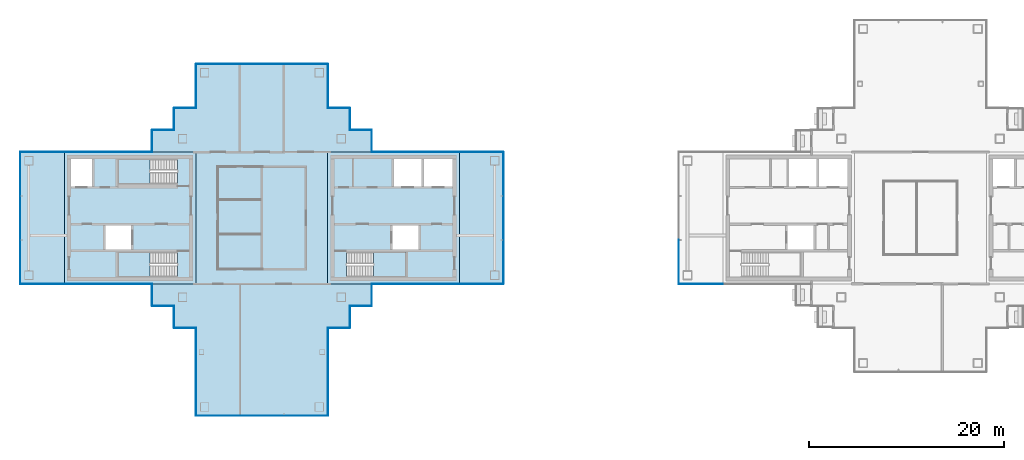
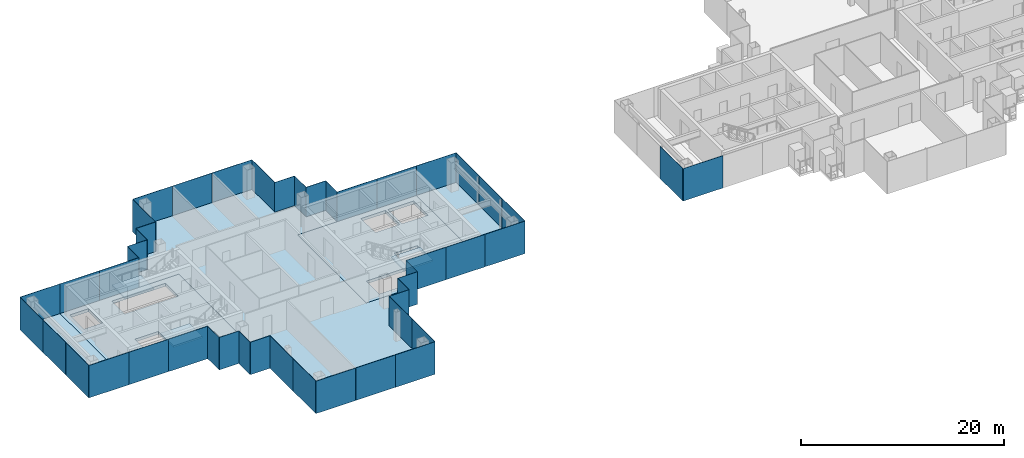
# One storey, part 7 of 16: 48 plates, 8 slabs, 25 elements without a shape of their own.
"""IFC4 building model written with IfcOpenShell, lengths in metres."""

import ifcopenshell
import ifcopenshell.guid

model = None  # the IFC model being written
_history = None  # IfcOwnerHistory: only IFC2X3 demands one
_inside = {}  # id of a spatial element -> (the spatial element, [elements in it])
_under = {}  # id of a project, library or spatial element -> (it, [spatial elements below it])
_declared = {}  # id of a project -> (the project, [libraries it declares])
_typed = {}  # id of a type object -> (the type object, [elements of that type])
_made_of = {}  # id of a material, layer set ... -> (it, [elements and type objects made of it])


def new_model(schema):
    """Start an empty IFC model of exactly this schema.

    Asked for "IFC4X3", IfcOpenShell would pick the latest addendum, in which some entities
    have other attributes; the version numbers below select the first issue.
    IFC2X3 requires an IfcOwnerHistory on every rooted entity: one is made here for all.
    """
    global model, _history
    if schema == "IFC4X3":
        model = ifcopenshell.file(schema_version=(4, 3, 0, 0))
    else:
        model = ifcopenshell.file(schema=schema)
    _inside.clear()
    _under.clear()
    _declared.clear()
    _typed.clear()
    _made_of.clear()
    _history = None
    if model.schema == "IFC2X3":
        org = make("IfcOrganization", Name="unknown")
        user = make(
            "IfcPersonAndOrganization",
            ThePerson=make("IfcPerson", FamilyName="unknown"),
            TheOrganization=org,
        )
        app = make(
            "IfcApplication",
            ApplicationDeveloper=org,
            Version="unknown",
            ApplicationFullName="unknown",
            ApplicationIdentifier="unknown",
        )
        _history = make(
            "IfcOwnerHistory",
            OwningUser=user,
            OwningApplication=app,
            ChangeAction="ADDED",
            CreationDate=0,
        )
    return model


def make(cls, **values):
    """One entity of the class cls with the attributes given. An attribute that is None is left unset."""
    return model.create_entity(
        cls, **{name: value for name, value in values.items() if value is not None}
    )


def rooted(cls, **values):
    """An entity with a GlobalId (a new one), such as an element, a storey or a relation."""
    return make(cls, GlobalId=ifcopenshell.guid.new(), OwnerHistory=_history, **values)


def si_unit(unit_type, name, prefix=None):
    """IfcSIUnit, for example si_unit("LENGTHUNIT", "METRE", prefix="MILLI")."""
    return make("IfcSIUnit", UnitType=unit_type, Prefix=prefix, Name=name)


def assignment(units):
    """IfcUnitAssignment: the units of a project."""
    return None if units is None else make("IfcUnitAssignment", Units=units)


def point(xyz):
    """IfcCartesianPoint."""
    return None if xyz is None else make("IfcCartesianPoint", Coordinates=xyz)


def direction(xyz):
    """IfcDirection."""
    return None if xyz is None else make("IfcDirection", DirectionRatios=xyz)


def frame(location, z_axis=None, x_axis=None):
    """IfcAxis2Placement3D, a coordinate frame: its origin and axes. An axis left out is left unset."""
    return make(
        "IfcAxis2Placement3D",
        Location=point(location),
        Axis=direction(z_axis),
        RefDirection=direction(x_axis),
    )


def frame_2d(location, x_axis=None):
    """IfcAxis2Placement2D, a coordinate frame in the plane: its origin and x axis."""
    return make(
        "IfcAxis2Placement2D", Location=point(location), RefDirection=direction(x_axis)
    )


def origin():
    """The frame at (0, 0, 0) with its axes left unset."""
    return frame((0.0, 0.0, 0.0))


def origin_2d():
    """The frame at (0, 0) in the plane with its x axis left unset."""
    return frame_2d((0.0, 0.0))


def place(relative_to, where):
    """IfcLocalPlacement: puts the frame where relative to a parent placement (None: the world)."""
    return make(
        "IfcLocalPlacement", PlacementRelTo=relative_to, RelativePlacement=where
    )


def context(
    kind, dimensions, precision=None, world=None, true_north=None, identifier=None
):
    """IfcGeometricRepresentationContext, for example the 3D "Model" context."""
    return make(
        "IfcGeometricRepresentationContext",
        ContextIdentifier=identifier,
        ContextType=kind,
        CoordinateSpaceDimension=dimensions,
        Precision=precision,
        WorldCoordinateSystem=world,
        TrueNorth=true_north,
    )


def subcontext(parent, identifier, kind, view, scale=None):
    """IfcGeometricRepresentationSubContext, for example "Body" below "Model"."""
    return make(
        "IfcGeometricRepresentationSubContext",
        ContextIdentifier=identifier,
        ContextType=kind,
        ParentContext=parent,
        TargetScale=scale,
        TargetView=view,
    )


def project(units=None, contexts=None):
    """IfcProject with its units and contexts."""
    return rooted(
        "IfcProject",
        Name="project",
        RepresentationContexts=contexts,
        UnitsInContext=assignment(units),
    )


def spatial(cls, under=None, at=None, **own):
    """A site, building, storey or space (cls), placed at a placement, below another one or the project."""
    s = rooted(cls, ObjectPlacement=at, **own)
    if under is not None:
        _under.setdefault(under.id(), (under, []))[1].append(s)
    return s


def polyline(points):
    """IfcPolyline through the points."""
    return make("IfcPolyline", Points=[point(p) for p in points])


def profile(cls, at=None, kind="AREA", **sizes):
    """A parametric profile (cls). Its sizes go by their IFC names, for example OverallWidth=200.0."""
    return make(cls, ProfileType=kind, Position=at, **sizes)


def rectangle(**sizes):
    """IfcRectangleProfileDef."""
    return profile("IfcRectangleProfileDef", **sizes)


def outline(outer, holes=None, kind="AREA"):
    """IfcArbitraryClosedProfileDef: a profile drawn as a closed curve; with holes, ...WithVoids."""
    if holes is None:
        return make("IfcArbitraryClosedProfileDef", ProfileType=kind, OuterCurve=outer)
    return make(
        "IfcArbitraryProfileDefWithVoids",
        ProfileType=kind,
        OuterCurve=outer,
        InnerCurves=holes,
    )


def extrude(swept, where, along, depth):
    """IfcExtrudedAreaSolid: the profile swept, set in the frame where, extruded along a direction by depth."""
    return make(
        "IfcExtrudedAreaSolid",
        SweptArea=swept,
        Position=where,
        ExtrudedDirection=direction(along),
        Depth=depth,
    )


def shape(context_of_items, identifier, shape_type, items):
    """IfcShapeRepresentation: the items that make up one representation, for example the "Body"."""
    return make(
        "IfcShapeRepresentation",
        ContextOfItems=context_of_items,
        RepresentationIdentifier=identifier,
        RepresentationType=shape_type,
        Items=items,
    )


def material(Name=None, Category=None):
    """IfcMaterial."""
    return make("IfcMaterial", Name=Name, Category=Category)


def layer(
    of_material, thickness, ventilated=None, Name=None, Category=None, Priority=None
):
    """IfcMaterialLayer: one layer of a wall or slab, of a material (None: an air gap)."""
    return make(
        "IfcMaterialLayer",
        Material=of_material,
        LayerThickness=thickness,
        IsVentilated=ventilated,
        Name=Name,
        Category=Category,
        Priority=Priority,
    )


def layer_set(layers, Name=None):
    """IfcMaterialLayerSet."""
    return make("IfcMaterialLayerSet", MaterialLayers=layers, LayerSetName=Name)


def made_of(thing, what):
    """Note that an element or type object is made of a material, layer set ...; save() writes the relation."""
    if what is not None:
        _made_of.setdefault(what.id(), (what, []))[1].append(thing)
    return thing


def type_object(cls, material=None, **own):
    """A type object (cls), such as IfcWallType, which elements share."""
    return made_of(rooted(cls, **own), material)


def element(
    cls,
    number,
    at=None,
    inside=None,
    cuts=None,
    type_object=None,
    material=None,
    context=None,
    identifier="Body",
    shape_type=None,
    held_by="IfcProductDefinitionShape",
    body=None,
    shapes=None,
    **own,
):
    """One element of the class cls, such as IfcWall. Its Tag is "e" and its number.

    at: its placement. inside: the storey or other place that contains it. cuts: it is an
    opening in that element (IfcRelVoidsElement). A single representation is given by context,
    identifier, shape_type and body (its items); several are given by shapes. held_by: the class
    of the entity that holds the representations. save() writes the other relations.
    """
    e = rooted(cls, Tag="e%d" % number, ObjectPlacement=at, **own)
    if body is not None:
        shapes = [shape(context, identifier, shape_type, body)]
    if shapes is not None:
        e.Representation = make(held_by, Representations=shapes)
    if inside is not None:
        _inside.setdefault(inside.id(), (inside, []))[1].append(e)
    if cuts is not None:
        rooted(
            "IfcRelVoidsElement", RelatingBuildingElement=cuts, RelatedOpeningElement=e
        )
    if type_object is not None:
        _typed.setdefault(type_object.id(), (type_object, []))[1].append(e)
    return made_of(e, material)


def aggregate(whole, parts):
    """IfcRelAggregates: a whole, such as a stair, and the parts it consists of."""
    return rooted("IfcRelAggregates", RelatingObject=whole, RelatedObjects=parts)


def save(model, path):
    """Write the relations noted so far, then the file.

    IfcRelAggregates (storeys below a building ...), IfcRelContainedInSpatialStructure (elements
    in a storey), IfcRelDefinesByType, IfcRelAssociatesMaterial and IfcRelDeclares: one each for
    every whole, place, type object, material and project.
    """
    for whole, parts in _under.values():
        aggregate(whole, parts)
    for where, things in _inside.values():
        rooted(
            "IfcRelContainedInSpatialStructure",
            RelatedElements=things,
            RelatingStructure=where,
        )
    for kind, things in _typed.values():
        rooted("IfcRelDefinesByType", RelatedObjects=things, RelatingType=kind)
    for what, things in _made_of.values():
        rooted("IfcRelAssociatesMaterial", RelatedObjects=things, RelatingMaterial=what)
    for by, libraries in _declared.values():
        rooted("IfcRelDeclares", RelatingContext=by, RelatedDefinitions=libraries)
    model.write(path)


model = new_model("IFC4")

# Units and contexts
model_context = context("Model", 3, precision=1e-05, world=origin(), true_north=direction((0.0, 1.0)))
body_context = subcontext(model_context, "Body", "Model", "MODEL_VIEW")
ifc_project = project(units=[si_unit("LENGTHUNIT", "METRE"), si_unit("AREAUNIT", "SQUARE_METRE"), si_unit("VOLUMEUNIT", "CUBIC_METRE"), si_unit("PLANEANGLEUNIT", "RADIAN"), si_unit("MASSUNIT", "GRAM", prefix="KILO")], contexts=[model_context])

# Site, building, storey
site_placement = place(None, origin())
site = spatial("IfcSite", under=ifc_project, at=site_placement, CompositionType="ELEMENT")
building_placement = place(site_placement, origin())
building = spatial("IfcBuilding", under=site, at=building_placement, Name="Shamsa Quay Exchange Towers", CompositionType="ELEMENT")
storey_placement = place(building_placement, frame((0.0, 0.0, 246.0)))
storey = spatial("IfcBuildingStorey", under=building, at=storey_placement, Name="L59", CompositionType="ELEMENT", Elevation=246.0)

# Slabs
ifc_material_1 = material(Name="Concrete C50/60", Category="concrete")
ifc_layer_1 = layer(ifc_material_1, 0.35009765625)
ifc_layer_set_1 = layer_set([ifc_layer_1], Name="CORE FLOOR 350 C50/60")
slab_type_1 = type_object("IfcSlabType", Name="CORE FLOOR 350 C50/60", PredefinedType="FLOOR", material=ifc_layer_set_1)
slab_1_placement = place(storey_placement, frame((0.0, 0.0, -0.35009765625)))
element("IfcSlab", 1, at=slab_1_placement, inside=storey, type_object=slab_type_1, Name="Core floor T1A", PredefinedType="FLOOR", context=body_context, shape_type="SweptSolid", body=[
    extrude(outline(polyline([(-27.0, -6.75), (-13.5, -6.75), (-13.5, 6.75), (-27.0, 6.75), (-27.0, -6.75)]), holes=[polyline([(-25.099365234375, -6.050048828125), (-25.099365234375, -3.5), (-19.0, -3.5), (-19.0, -6.050048828125), (-25.099365234375, -6.050048828125)]), polyline([(-20.199951171875, 3.25), (-20.199951171875, 6.050048828125), (-17.39990234375, 6.050048828125), (-17.39990234375, 3.25), (-20.199951171875, 3.25)]), polyline([(-17.14990234375, 3.25), (-17.14990234375, 6.050048828125), (-14.199951171875, 6.050048828125), (-14.199951171875, 3.25), (-17.14990234375, 3.25)]), polyline([(-20.35009765625, -3.25), (-20.35009765625, -0.75), (-17.699951171875, -0.75), (-17.699951171875, -3.25), (-20.35009765625, -3.25)])]), origin(), (0.0, 0.0, 1.0), 0.35009765625),
])
slab_2_placement = place(storey_placement, frame((0.0, 0.0, -0.35009765625)))
element("IfcSlab", 2, at=slab_2_placement, inside=storey, type_object=slab_type_1, Name="Core floor T1B", PredefinedType="FLOOR", context=body_context, shape_type="SweptSolid", body=[
    extrude(outline(polyline([(-40.5, -6.75), (-40.5, 6.75), (-54.0, 6.75), (-54.0, -6.75), (-40.5, -6.75)]), holes=[polyline([(-42.400634765625, -3.5), (-42.400634765625, -6.050048828125), (-48.5, -6.050048828125), (-48.5, -3.5), (-42.400634765625, -3.5)]), polyline([(-42.400634765625, 6.050048828125), (-42.400634765625, 3.5), (-48.5, 3.5), (-48.5, 6.050048828125), (-42.400634765625, 6.050048828125)]), polyline([(-51.14990234375, 3.25), (-53.300048828125, 3.25), (-53.300048828125, 6.050048828125), (-51.14990234375, 6.050048828125), (-51.14990234375, 3.25)]), polyline([(-47.14990234375, -3.25), (-49.800048828125, -3.25), (-49.800048828125, -0.75), (-47.14990234375, -0.75), (-47.14990234375, -3.25)])]), origin(), (0.0, 0.0, 1.0), 0.35009765625),
])

# Stair, slab
ifc_material_2 = material(Name="Concrete C40/50", Category="concrete")
stair_type = type_object("IfcStairType", Name="EXIT STAIR 22 RISERS 177 MM", PredefinedType="HALF_TURN_STAIR", material=ifc_material_2)
stair_1_placement = place(storey_placement, origin())
stair_1 = element("IfcStair", 3, at=stair_1_placement, inside=storey, type_object=stair_type, Name="L59 Exit stair ST1", PredefinedType="HALF_TURN_STAIR")
ifc_layer_2 = layer(ifc_material_2, 0.199951171875)
ifc_layer_set_2 = layer_set([ifc_layer_2], Name="CORE STAIR LANDING")
slab_type_2 = type_object("IfcSlabType", Name="CORE STAIR LANDING", PredefinedType="LANDING", material=ifc_layer_set_2)
slab_3_placement = place(storey_placement, frame((0.0, 0.0, 1.75)))
slab_3 = element("IfcSlab", 4, at=slab_3_placement, type_object=slab_type_2, Name="ST1 landing 1", PredefinedType="LANDING", context=body_context, shape_type="SweptSolid", body=[
    extrude(outline(polyline([(-22.300048828125, -6.050048828125), (-19.0, -6.050048828125), (-19.0, -3.5), (-22.300048828125, -3.5), (-22.300048828125, -6.050048828125)])), origin(), (0.0, 0.0, 1.0), 0.199951171875),
])
aggregate(stair_1, [slab_3])

stair_2_placement = place(storey_placement, origin())
stair_2 = element("IfcStair", 5, at=stair_2_placement, inside=storey, type_object=stair_type, Name="L59 Exit stair ST2", PredefinedType="HALF_TURN_STAIR")
slab_4_placement = place(storey_placement, frame((0.0, 0.0, 1.75)))
slab_4 = element("IfcSlab", 6, at=slab_4_placement, type_object=slab_type_2, Name="ST2 landing 1", PredefinedType="LANDING", context=body_context, shape_type="SweptSolid", body=[
    extrude(outline(polyline([(-45.199951171875, -3.5), (-48.5, -3.5), (-48.5, -6.050048828125), (-45.199951171875, -6.050048828125), (-45.199951171875, -3.5)])), origin(), (0.0, 0.0, 1.0), 0.199951171875),
])
aggregate(stair_2, [slab_4])

stair_3_placement = place(storey_placement, origin())
stair_3 = element("IfcStair", 7, at=stair_3_placement, inside=storey, type_object=stair_type, Name="L59 Exit stair ST3", PredefinedType="HALF_TURN_STAIR")
slab_5_placement = place(storey_placement, frame((0.0, 0.0, 1.75)))
slab_5 = element("IfcSlab", 8, at=slab_5_placement, type_object=slab_type_2, Name="ST3 landing 1", PredefinedType="LANDING", context=body_context, shape_type="SweptSolid", body=[
    extrude(outline(polyline([(-45.199951171875, 6.050048828125), (-48.5, 6.050048828125), (-48.5, 3.5), (-45.199951171875, 3.5), (-45.199951171875, 6.050048828125)])), origin(), (0.0, 0.0, 1.0), 0.199951171875),
])
aggregate(stair_3, [slab_5])

# Curtain wall, plates
ifc_material_3 = material(Name="Aluminium EN AW-6063 T6, black anodised", Category="aluminium")
ifc_layer_3 = layer(ifc_material_3, 0.280029296875)
ifc_layer_set_3 = layer_set([ifc_layer_3], Name="CW-1 UNITISED VISION GLASS")
curtain_wall_type_1 = type_object("IfcCurtainWallType", Name="CW-1 UNITISED VISION GLASS", PredefinedType="NOTDEFINED", material=ifc_layer_set_3)
curtain_wall_1_placement = place(storey_placement, origin())
curtain_wall_1 = element("IfcCurtainWall", 9, at=curtain_wall_1_placement, inside=storey, type_object=curtain_wall_type_1, Name="CW1 T1-FLK-V-W L59", PredefinedType="NOTDEFINED")
ifc_material_4 = material(Name="Glass, laminated, dark tinted", Category="glass")
ifc_layer_4 = layer(ifc_material_4, 0.0400390625)
ifc_layer_set_4 = layer_set([ifc_layer_4], Name="CW-1 VISION GLASS 40")
plate_type_1 = type_object("IfcPlateType", Name="CW-1 VISION GLASS 40", PredefinedType="CURTAIN_PANEL", material=ifc_layer_set_4)
plate_1_placement = place(storey_placement, frame((-40.52001953125, -13.52587890625, -0.349853515625), z_axis=(0.0, 0.0, 1.0), x_axis=(0.0, -1.0, 0.0)))
plate_1 = element("IfcPlate", 10, at=plate_1_placement, type_object=plate_type_1, Name="CW1 glass panel", PredefinedType="CURTAIN_PANEL", context=body_context, shape_type="SweptSolid", body=[
    extrude(rectangle(XDim=4.47607421875, YDim=0.0400390625, at=origin_2d()), origin(), (0.0, 0.0, 1.0), 3.89990234375),
])
plate_2_placement = place(storey_placement, frame((-40.52001953125, -18.011962890625, -0.349853515625), z_axis=(0.0, 0.0, 1.0), x_axis=(0.0, -1.0, 0.0)))
plate_2 = element("IfcPlate", 11, at=plate_2_placement, type_object=plate_type_1, Name="CW1 glass panel", PredefinedType="CURTAIN_PANEL", context=body_context, shape_type="SweptSolid", body=[
    extrude(rectangle(XDim=4.47607421875, YDim=0.0400390625, at=origin_2d()), origin(), (0.0, 0.0, 1.0), 3.89990234375),
])
aggregate(curtain_wall_1, [plate_1, plate_2])

curtain_wall_2_placement = place(storey_placement, origin())
curtain_wall_2 = element("IfcCurtainWall", 12, at=curtain_wall_2_placement, inside=storey, type_object=curtain_wall_type_1, Name="CW1 T1-END-V- L59", PredefinedType="NOTDEFINED")
plate_3_placement = place(storey_placement, frame((-38.25244140625, -20.27001953125, -0.349853515625)))
plate_3 = element("IfcPlate", 13, at=plate_3_placement, type_object=plate_type_1, Name="CW1 glass panel", PredefinedType="CURTAIN_PANEL", context=body_context, shape_type="SweptSolid", body=[
    extrude(rectangle(XDim=4.4951171875, YDim=0.0400390625, at=origin_2d()), origin(), (0.0, 0.0, 1.0), 3.89990234375),
])
plate_4_placement = place(storey_placement, frame((-33.75, -20.27001953125, -0.349853515625)))
plate_4 = element("IfcPlate", 14, at=plate_4_placement, type_object=plate_type_1, Name="CW1 glass panel", PredefinedType="CURTAIN_PANEL", context=body_context, shape_type="SweptSolid", body=[
    extrude(rectangle(XDim=4.489990234375, YDim=0.0400390625, at=origin_2d()), origin(), (0.0, 0.0, 1.0), 3.89990234375),
])
plate_5_placement = place(storey_placement, frame((-29.24755859375, -20.27001953125, -0.349853515625)))
plate_5 = element("IfcPlate", 15, at=plate_5_placement, type_object=plate_type_1, Name="CW1 glass panel", PredefinedType="CURTAIN_PANEL", context=body_context, shape_type="SweptSolid", body=[
    extrude(rectangle(XDim=4.4951171875, YDim=0.0400390625, at=origin_2d()), origin(), (0.0, 0.0, 1.0), 3.89990234375),
])
aggregate(curtain_wall_2, [plate_3, plate_4, plate_5])

curtain_wall_3_placement = place(storey_placement, origin())
curtain_wall_3 = element("IfcCurtainWall", 16, at=curtain_wall_3_placement, inside=storey, type_object=curtain_wall_type_1, Name="CW1 T1-FLK-V-E L59", PredefinedType="NOTDEFINED")
plate_6_placement = place(storey_placement, frame((-26.97998046875, -18.00244140625, -0.349853515625), z_axis=(0.0, 0.0, 1.0), x_axis=(0.0, 1.0, 0.0)))
plate_6 = element("IfcPlate", 17, at=plate_6_placement, type_object=plate_type_1, Name="CW1 glass panel", PredefinedType="CURTAIN_PANEL", context=body_context, shape_type="SweptSolid", body=[
    extrude(rectangle(XDim=4.4951171875, YDim=0.0400390625, at=origin_2d()), origin(), (0.0, 0.0, 1.0), 3.89990234375),
])
plate_7_placement = place(storey_placement, frame((-26.97998046875, -13.49755859375, -0.349853515625), z_axis=(0.0, 0.0, 1.0), x_axis=(0.0, 1.0, 0.0)))
plate_7 = element("IfcPlate", 18, at=plate_7_placement, type_object=plate_type_1, Name="CW1 glass panel", PredefinedType="CURTAIN_PANEL", context=body_context, shape_type="SweptSolid", body=[
    extrude(rectangle(XDim=4.4951171875, YDim=0.0400390625, at=origin_2d()), origin(), (0.0, 0.0, 1.0), 3.89990234375),
])
aggregate(curtain_wall_3, [plate_6, plate_7])

# Curtain wall, plate
curtain_wall_4_placement = place(storey_placement, origin())
curtain_wall_4 = element("IfcCurtainWall", 19, at=curtain_wall_4_placement, inside=storey, type_object=curtain_wall_type_1, Name="CW1 T1-FLK-U+S L59", PredefinedType="NOTDEFINED")
plate_8_placement = place(storey_placement, frame((-11.25, -6.77001953125, -0.349853515625)))
plate_8 = element("IfcPlate", 20, at=plate_8_placement, type_object=plate_type_1, Name="CW1 glass panel", PredefinedType="CURTAIN_PANEL", context=body_context, shape_type="SweptSolid", body=[
    extrude(rectangle(XDim=4.5, YDim=0.0400390625, at=origin_2d()), origin(), (0.0, 0.0, 1.0), 3.89990234375),
])
aggregate(curtain_wall_4, [plate_8])

# Curtain wall, plates
curtain_wall_5_placement = place(storey_placement, origin())
curtain_wall_5 = element("IfcCurtainWall", 21, at=curtain_wall_5_placement, inside=storey, type_object=curtain_wall_type_1, Name="CW1 T1-END-U+ L59", PredefinedType="NOTDEFINED")
plate_9_placement = place(storey_placement, frame((-8.97998046875, -4.50244140625, -0.349853515625), z_axis=(0.0, 0.0, 1.0), x_axis=(0.0, 1.0, 0.0)))
plate_9 = element("IfcPlate", 22, at=plate_9_placement, type_object=plate_type_1, Name="CW1 glass panel", PredefinedType="CURTAIN_PANEL", context=body_context, shape_type="SweptSolid", body=[
    extrude(rectangle(XDim=4.4951171875, YDim=0.0400390625, at=origin_2d()), origin(), (0.0, 0.0, 1.0), 3.89990234375),
])
plate_10_placement = place(storey_placement, frame((-8.97998046875, 0.0, -0.349853515625), z_axis=(0.0, 0.0, 1.0), x_axis=(0.0, 1.0, 0.0)))
plate_10 = element("IfcPlate", 23, at=plate_10_placement, type_object=plate_type_1, Name="CW1 glass panel", PredefinedType="CURTAIN_PANEL", context=body_context, shape_type="SweptSolid", body=[
    extrude(rectangle(XDim=4.489990234375, YDim=0.0400390625, at=origin_2d()), origin(), (0.0, 0.0, 1.0), 3.89990234375),
])
plate_11_placement = place(storey_placement, frame((-8.97998046875, 4.50244140625, -0.349853515625), z_axis=(0.0, 0.0, 1.0), x_axis=(0.0, 1.0, 0.0)))
plate_11 = element("IfcPlate", 24, at=plate_11_placement, type_object=plate_type_1, Name="CW1 glass panel", PredefinedType="CURTAIN_PANEL", context=body_context, shape_type="SweptSolid", body=[
    extrude(rectangle(XDim=4.4951171875, YDim=0.0400390625, at=origin_2d()), origin(), (0.0, 0.0, 1.0), 3.89990234375),
])
aggregate(curtain_wall_5, [plate_9, plate_10, plate_11])

# Curtain wall, plate
curtain_wall_6_placement = place(storey_placement, origin())
curtain_wall_6 = element("IfcCurtainWall", 25, at=curtain_wall_6_placement, inside=storey, type_object=curtain_wall_type_1, Name="CW1 T1-FLK-U+N L59", PredefinedType="NOTDEFINED")
plate_12_placement = place(storey_placement, frame((-11.25, 6.77001953125, -0.349853515625), z_axis=(0.0, 0.0, 1.0), x_axis=(-1.0, 0.0, 0.0)))
plate_12 = element("IfcPlate", 26, at=plate_12_placement, type_object=plate_type_1, Name="CW1 glass panel", PredefinedType="CURTAIN_PANEL", context=body_context, shape_type="SweptSolid", body=[
    extrude(rectangle(XDim=4.5, YDim=0.0400390625, at=origin_2d()), origin(), (0.0, 0.0, 1.0), 3.89990234375),
])
aggregate(curtain_wall_6, [plate_12])

curtain_wall_7_placement = place(storey_placement, origin())
curtain_wall_7 = element("IfcCurtainWall", 27, at=curtain_wall_7_placement, inside=storey, type_object=curtain_wall_type_1, Name="CW1 T1-FLK-V+E L59", PredefinedType="NOTDEFINED")
plate_13_placement = place(storey_placement, frame((-26.97998046875, 13.51904296875, -0.349853515625), z_axis=(0.0, 0.0, 1.0), x_axis=(0.0, 1.0, 0.0)))
plate_13 = element("IfcPlate", 28, at=plate_13_placement, type_object=plate_type_1, Name="CW1 glass panel", PredefinedType="CURTAIN_PANEL", context=body_context, shape_type="SweptSolid", body=[
    extrude(rectangle(XDim=4.4619140625, YDim=0.0400390625, at=origin_2d()), origin(), (0.0, 0.0, 1.0), 3.89990234375),
])
aggregate(curtain_wall_7, [plate_13])

# Curtain wall, plates
curtain_wall_8_placement = place(storey_placement, origin())
curtain_wall_8 = element("IfcCurtainWall", 29, at=curtain_wall_8_placement, inside=storey, type_object=curtain_wall_type_1, Name="CW1 T1-END-V+ L59", PredefinedType="NOTDEFINED")
plate_14_placement = place(storey_placement, frame((-29.24755859375, 15.77001953125, -0.349853515625), z_axis=(0.0, 0.0, 1.0), x_axis=(-1.0, 0.0, 0.0)))
plate_14 = element("IfcPlate", 30, at=plate_14_placement, type_object=plate_type_1, Name="CW1 glass panel", PredefinedType="CURTAIN_PANEL", context=body_context, shape_type="SweptSolid", body=[
    extrude(rectangle(XDim=4.4951171875, YDim=0.0400390625, at=origin_2d()), origin(), (0.0, 0.0, 1.0), 3.89990234375),
])
plate_15_placement = place(storey_placement, frame((-33.75, 15.77001953125, -0.349853515625), z_axis=(0.0, 0.0, 1.0), x_axis=(-1.0, 0.0, 0.0)))
plate_15 = element("IfcPlate", 31, at=plate_15_placement, type_object=plate_type_1, Name="CW1 glass panel", PredefinedType="CURTAIN_PANEL", context=body_context, shape_type="SweptSolid", body=[
    extrude(rectangle(XDim=4.489990234375, YDim=0.0400390625, at=origin_2d()), origin(), (0.0, 0.0, 1.0), 3.89990234375),
])
plate_16_placement = place(storey_placement, frame((-38.25244140625, 15.77001953125, -0.349853515625), z_axis=(0.0, 0.0, 1.0), x_axis=(-1.0, 0.0, 0.0)))
plate_16 = element("IfcPlate", 32, at=plate_16_placement, type_object=plate_type_1, Name="CW1 glass panel", PredefinedType="CURTAIN_PANEL", context=body_context, shape_type="SweptSolid", body=[
    extrude(rectangle(XDim=4.4951171875, YDim=0.0400390625, at=origin_2d()), origin(), (0.0, 0.0, 1.0), 3.89990234375),
])
aggregate(curtain_wall_8, [plate_14, plate_15, plate_16])

# Curtain wall, plate
curtain_wall_9_placement = place(storey_placement, origin())
curtain_wall_9 = element("IfcCurtainWall", 33, at=curtain_wall_9_placement, inside=storey, type_object=curtain_wall_type_1, Name="CW1 T1-FLK-V+W L59", PredefinedType="NOTDEFINED")
plate_17_placement = place(storey_placement, frame((-40.52001953125, 13.5, -0.349853515625), z_axis=(0.0, 0.0, 1.0), x_axis=(0.0, -1.0, 0.0)))
plate_17 = element("IfcPlate", 34, at=plate_17_placement, type_object=plate_type_1, Name="CW1 glass panel", PredefinedType="CURTAIN_PANEL", context=body_context, shape_type="SweptSolid", body=[
    extrude(rectangle(XDim=4.5, YDim=0.0400390625, at=origin_2d()), origin(), (0.0, 0.0, 1.0), 3.89990234375),
])
aggregate(curtain_wall_9, [plate_17])

curtain_wall_10_placement = place(storey_placement, origin())
curtain_wall_10 = element("IfcCurtainWall", 35, at=curtain_wall_10_placement, inside=storey, type_object=curtain_wall_type_1, Name="CW1 T1-FLK-U-N L59", PredefinedType="NOTDEFINED")
plate_18_placement = place(storey_placement, frame((-56.25, 6.77001953125, -0.349853515625), z_axis=(0.0, 0.0, 1.0), x_axis=(-1.0, 0.0, 0.0)))
plate_18 = element("IfcPlate", 36, at=plate_18_placement, type_object=plate_type_1, Name="CW1 glass panel", PredefinedType="CURTAIN_PANEL", context=body_context, shape_type="SweptSolid", body=[
    extrude(rectangle(XDim=4.5, YDim=0.0400390625, at=origin_2d()), origin(), (0.0, 0.0, 1.0), 3.89990234375),
])
aggregate(curtain_wall_10, [plate_18])

# Curtain wall, plates
curtain_wall_11_placement = place(storey_placement, origin())
curtain_wall_11 = element("IfcCurtainWall", 37, at=curtain_wall_11_placement, inside=storey, type_object=curtain_wall_type_1, Name="CW1 T1-END-U- L59", PredefinedType="NOTDEFINED")
plate_19_placement = place(storey_placement, frame((-58.52001953125, 4.50244140625, -0.349853515625), z_axis=(0.0, 0.0, 1.0), x_axis=(0.0, -1.0, 0.0)))
plate_19 = element("IfcPlate", 38, at=plate_19_placement, type_object=plate_type_1, Name="CW1 glass panel", PredefinedType="CURTAIN_PANEL", context=body_context, shape_type="SweptSolid", body=[
    extrude(rectangle(XDim=4.4951171875, YDim=0.0400390625, at=origin_2d()), origin(), (0.0, 0.0, 1.0), 3.89990234375),
])
plate_20_placement = place(storey_placement, frame((-58.52001953125, 0.0, -0.349853515625), z_axis=(0.0, 0.0, 1.0), x_axis=(0.0, -1.0, 0.0)))
plate_20 = element("IfcPlate", 39, at=plate_20_placement, type_object=plate_type_1, Name="CW1 glass panel", PredefinedType="CURTAIN_PANEL", context=body_context, shape_type="SweptSolid", body=[
    extrude(rectangle(XDim=4.489990234375, YDim=0.0400390625, at=origin_2d()), origin(), (0.0, 0.0, 1.0), 3.89990234375),
])
plate_21_placement = place(storey_placement, frame((-58.52001953125, -4.50244140625, -0.349853515625), z_axis=(0.0, 0.0, 1.0), x_axis=(0.0, -1.0, 0.0)))
plate_21 = element("IfcPlate", 40, at=plate_21_placement, type_object=plate_type_1, Name="CW1 glass panel", PredefinedType="CURTAIN_PANEL", context=body_context, shape_type="SweptSolid", body=[
    extrude(rectangle(XDim=4.4951171875, YDim=0.0400390625, at=origin_2d()), origin(), (0.0, 0.0, 1.0), 3.89990234375),
])
aggregate(curtain_wall_11, [plate_19, plate_20, plate_21])

# Curtain wall, plate
curtain_wall_12_placement = place(storey_placement, origin())
curtain_wall_12 = element("IfcCurtainWall", 41, at=curtain_wall_12_placement, inside=storey, type_object=curtain_wall_type_1, Name="CW1 T1-FLK-U-S L59", PredefinedType="NOTDEFINED")
plate_22_placement = place(storey_placement, frame((-56.25, -6.77001953125, -0.349853515625)))
plate_22 = element("IfcPlate", 42, at=plate_22_placement, type_object=plate_type_1, Name="CW1 glass panel", PredefinedType="CURTAIN_PANEL", context=body_context, shape_type="SweptSolid", body=[
    extrude(rectangle(XDim=4.5, YDim=0.0400390625, at=origin_2d()), origin(), (0.0, 0.0, 1.0), 3.89990234375),
])
aggregate(curtain_wall_12, [plate_22])

curtain_wall_13_placement = place(storey_placement, origin())
curtain_wall_13 = element("IfcCurtainWall", 43, at=curtain_wall_13_placement, inside=storey, type_object=curtain_wall_type_1, Name="CW1 T2-END-V+ L59", PredefinedType="NOTDEFINED")
plate_23_placement = place(storey_placement, frame((8.97998046875, -4.50244140625, -0.349853515625), z_axis=(0.0, 0.0, 1.0), x_axis=(0.0, -1.0, 0.0)))
plate_23 = element("IfcPlate", 44, at=plate_23_placement, type_object=plate_type_1, Name="CW1 glass panel", PredefinedType="CURTAIN_PANEL", context=body_context, shape_type="SweptSolid", body=[
    extrude(rectangle(XDim=4.4951171875, YDim=0.0400390625, at=origin_2d()), origin(), (0.0, 0.0, 1.0), 3.89990234375),
])
aggregate(curtain_wall_13, [plate_23])

curtain_wall_14_placement = place(storey_placement, origin())
curtain_wall_14 = element("IfcCurtainWall", 45, at=curtain_wall_14_placement, inside=storey, type_object=curtain_wall_type_1, Name="CW1 T2-FLK-V+W L59", PredefinedType="NOTDEFINED")
plate_24_placement = place(storey_placement, frame((11.25, -6.77001953125, -0.349853515625)))
plate_24 = element("IfcPlate", 46, at=plate_24_placement, type_object=plate_type_1, Name="CW1 glass panel", PredefinedType="CURTAIN_PANEL", context=body_context, shape_type="SweptSolid", body=[
    extrude(rectangle(XDim=4.5, YDim=0.0400390625, at=origin_2d()), origin(), (0.0, 0.0, 1.0), 3.89990234375),
])
aggregate(curtain_wall_14, [plate_24])

# Curtain wall, plates
ifc_layer_5 = layer(ifc_material_3, 0.303955078125)
ifc_layer_set_5 = layer_set([ifc_layer_5], Name="CW-2 UNITISED OPAQUE SPANDREL GLASS")
curtain_wall_type_2 = type_object("IfcCurtainWallType", Name="CW-2 UNITISED OPAQUE SPANDREL GLASS", PredefinedType="NOTDEFINED", material=ifc_layer_set_5)
curtain_wall_15_placement = place(storey_placement, origin())
curtain_wall_15 = element("IfcCurtainWall", 47, at=curtain_wall_15_placement, inside=storey, type_object=curtain_wall_type_2, Name="CW2 T1-FLK-U+S L59", PredefinedType="NOTDEFINED")
ifc_material_5 = material(Name="Glass, laminated, black enamelled opaque", Category="glass")
ifc_layer_6 = layer(ifc_material_5, 0.0439453125)
ifc_layer_set_6 = layer_set([ifc_layer_6], Name="CW-2 SPANDREL GLASS 44")
plate_type_2 = type_object("IfcPlateType", Name="CW-2 SPANDREL GLASS 44", PredefinedType="CURTAIN_PANEL", material=ifc_layer_set_6)
plate_25_placement = place(storey_placement, frame((-20.22412109375, -6.77197265625, -0.349853515625)))
plate_25 = element("IfcPlate", 48, at=plate_25_placement, type_object=plate_type_2, Name="CW2 glass panel", PredefinedType="CURTAIN_PANEL", context=body_context, shape_type="SweptSolid", body=[
    extrude(rectangle(XDim=4.47607421875, YDim=0.0439453125, at=origin_2d()), origin(), (0.0, 0.0, 1.0), 3.89990234375),
])
plate_26_placement = place(storey_placement, frame((-15.738037109375, -6.77197265625, -0.349853515625)))
plate_26 = element("IfcPlate", 49, at=plate_26_placement, type_object=plate_type_2, Name="CW2 glass panel", PredefinedType="CURTAIN_PANEL", context=body_context, shape_type="SweptSolid", body=[
    extrude(rectangle(XDim=4.47607421875, YDim=0.0439453125, at=origin_2d()), origin(), (0.0, 0.0, 1.0), 3.89990234375),
])
aggregate(curtain_wall_15, [plate_25, plate_26])

curtain_wall_16_placement = place(storey_placement, origin())
curtain_wall_16 = element("IfcCurtainWall", 50, at=curtain_wall_16_placement, inside=storey, type_object=curtain_wall_type_2, Name="CW2 T1-FLK-U+N L59", PredefinedType="NOTDEFINED")
plate_27_placement = place(storey_placement, frame((-15.74755859375, 6.77197265625, -0.349853515625), z_axis=(0.0, 0.0, 1.0), x_axis=(-1.0, 0.0, 0.0)))
plate_27 = element("IfcPlate", 51, at=plate_27_placement, type_object=plate_type_2, Name="CW2 glass panel", PredefinedType="CURTAIN_PANEL", context=body_context, shape_type="SweptSolid", body=[
    extrude(rectangle(XDim=4.4951171875, YDim=0.0439453125, at=origin_2d()), origin(), (0.0, 0.0, 1.0), 3.89990234375),
])
plate_28_placement = place(storey_placement, frame((-20.25244140625, 6.77197265625, -0.349853515625), z_axis=(0.0, 0.0, 1.0), x_axis=(-1.0, 0.0, 0.0)))
plate_28 = element("IfcPlate", 52, at=plate_28_placement, type_object=plate_type_2, Name="CW2 glass panel", PredefinedType="CURTAIN_PANEL", context=body_context, shape_type="SweptSolid", body=[
    extrude(rectangle(XDim=4.4951171875, YDim=0.0439453125, at=origin_2d()), origin(), (0.0, 0.0, 1.0), 3.89990234375),
])
aggregate(curtain_wall_16, [plate_27, plate_28])

curtain_wall_17_placement = place(storey_placement, origin())
curtain_wall_17 = element("IfcCurtainWall", 53, at=curtain_wall_17_placement, inside=storey, type_object=curtain_wall_type_2, Name="CW2 T1-FLK-U-N L59", PredefinedType="NOTDEFINED")
plate_29_placement = place(storey_placement, frame((-47.27587890625, 6.77197265625, -0.349853515625), z_axis=(0.0, 0.0, 1.0), x_axis=(-1.0, 0.0, 0.0)))
plate_29 = element("IfcPlate", 54, at=plate_29_placement, type_object=plate_type_2, Name="CW2 glass panel", PredefinedType="CURTAIN_PANEL", context=body_context, shape_type="SweptSolid", body=[
    extrude(rectangle(XDim=4.47607421875, YDim=0.0439453125, at=origin_2d()), origin(), (0.0, 0.0, 1.0), 3.89990234375),
])
plate_30_placement = place(storey_placement, frame((-51.761962890625, 6.77197265625, -0.349853515625), z_axis=(0.0, 0.0, 1.0), x_axis=(-1.0, 0.0, 0.0)))
plate_30 = element("IfcPlate", 55, at=plate_30_placement, type_object=plate_type_2, Name="CW2 glass panel", PredefinedType="CURTAIN_PANEL", context=body_context, shape_type="SweptSolid", body=[
    extrude(rectangle(XDim=4.47607421875, YDim=0.0439453125, at=origin_2d()), origin(), (0.0, 0.0, 1.0), 3.89990234375),
])
aggregate(curtain_wall_17, [plate_29, plate_30])

curtain_wall_18_placement = place(storey_placement, origin())
curtain_wall_18 = element("IfcCurtainWall", 56, at=curtain_wall_18_placement, inside=storey, type_object=curtain_wall_type_2, Name="CW2 T1-FLK-U-S L59", PredefinedType="NOTDEFINED")
plate_31_placement = place(storey_placement, frame((-51.75244140625, -6.77197265625, -0.349853515625)))
plate_31 = element("IfcPlate", 57, at=plate_31_placement, type_object=plate_type_2, Name="CW2 glass panel", PredefinedType="CURTAIN_PANEL", context=body_context, shape_type="SweptSolid", body=[
    extrude(rectangle(XDim=4.4951171875, YDim=0.0439453125, at=origin_2d()), origin(), (0.0, 0.0, 1.0), 3.89990234375),
])
plate_32_placement = place(storey_placement, frame((-47.24755859375, -6.77197265625, -0.349853515625)))
plate_32 = element("IfcPlate", 58, at=plate_32_placement, type_object=plate_type_2, Name="CW2 glass panel", PredefinedType="CURTAIN_PANEL", context=body_context, shape_type="SweptSolid", body=[
    extrude(rectangle(XDim=4.4951171875, YDim=0.0439453125, at=origin_2d()), origin(), (0.0, 0.0, 1.0), 3.89990234375),
])
aggregate(curtain_wall_18, [plate_31, plate_32])

ifc_layer_7 = layer(ifc_material_3, 0.256103515625)
ifc_layer_set_7 = layer_set([ifc_layer_7], Name="CW-4 POCKET SERRATED GLAZING")
curtain_wall_type_3 = type_object("IfcCurtainWallType", Name="CW-4 POCKET SERRATED GLAZING", PredefinedType="NOTDEFINED", material=ifc_layer_set_7)
curtain_wall_19_placement = place(storey_placement, origin())
curtain_wall_19 = element("IfcCurtainWall", 59, at=curtain_wall_19_placement, inside=storey, type_object=curtain_wall_type_3, Name="CW4 PKWS L59", PredefinedType="NOTDEFINED")
ifc_layer_8 = layer(ifc_material_4, 0.035888671875)
ifc_layer_set_8 = layer_set([ifc_layer_8], Name="CW-4 POCKET GLASS 36")
plate_type_3 = type_object("IfcPlateType", Name="CW-4 POCKET GLASS 36", PredefinedType="CURTAIN_PANEL", material=ifc_layer_set_8)
plate_33_placement = place(storey_placement, frame((-42.76806640625, -10.14404296875, -0.349853515625), z_axis=(0.0, 0.0, 1.0), x_axis=(0.0, -1.0, 0.0)))
plate_33 = element("IfcPlate", 60, at=plate_33_placement, type_object=plate_type_3, Name="CW4 glass panel", PredefinedType="CURTAIN_PANEL", context=body_context, shape_type="SweptSolid", body=[
    extrude(rectangle(XDim=2.2119140625, YDim=0.035888671875, at=origin_2d()), origin(), (0.0, 0.0, 1.0), 3.89990234375),
])
plate_34_placement = place(storey_placement, frame((-41.625, -11.26806640625, -0.349853515625)))
plate_34 = element("IfcPlate", 61, at=plate_34_placement, type_object=plate_type_3, Name="CW4 glass panel", PredefinedType="CURTAIN_PANEL", context=body_context, shape_type="SweptSolid", body=[
    extrude(rectangle(XDim=2.25, YDim=0.035888671875, at=origin_2d()), origin(), (0.0, 0.0, 1.0), 3.89990234375),
])
plate_35_placement = place(storey_placement, frame((-45.01806640625, -7.89794921875, -0.349853515625), z_axis=(0.0, 0.0, 1.0), x_axis=(0.0, -1.0, 0.0)))
plate_35 = element("IfcPlate", 62, at=plate_35_placement, type_object=plate_type_3, Name="CW4 glass panel", PredefinedType="CURTAIN_PANEL", context=body_context, shape_type="SweptSolid", body=[
    extrude(rectangle(XDim=2.2041015625, YDim=0.035888671875, at=origin_2d()), origin(), (0.0, 0.0, 1.0), 3.89990234375),
])
plate_36_placement = place(storey_placement, frame((-43.875, -9.01806640625, -0.349853515625)))
plate_36 = element("IfcPlate", 63, at=plate_36_placement, type_object=plate_type_3, Name="CW4 glass panel", PredefinedType="CURTAIN_PANEL", context=body_context, shape_type="SweptSolid", body=[
    extrude(rectangle(XDim=2.25, YDim=0.035888671875, at=origin_2d()), origin(), (0.0, 0.0, 1.0), 3.89990234375),
])
aggregate(curtain_wall_19, [plate_33, plate_34, plate_35, plate_36])

curtain_wall_20_placement = place(storey_placement, origin())
curtain_wall_20 = element("IfcCurtainWall", 64, at=curtain_wall_20_placement, inside=storey, type_object=curtain_wall_type_3, Name="CW4 PKES L59", PredefinedType="NOTDEFINED")
plate_37_placement = place(storey_placement, frame((-25.85400390625, -11.26806640625, -0.349853515625)))
plate_37 = element("IfcPlate", 65, at=plate_37_placement, type_object=plate_type_3, Name="CW4 glass panel", PredefinedType="CURTAIN_PANEL", context=body_context, shape_type="SweptSolid", body=[
    extrude(rectangle(XDim=2.2080078125, YDim=0.035888671875, at=origin_2d()), origin(), (0.0, 0.0, 1.0), 3.89990234375),
])
plate_38_placement = place(storey_placement, frame((-24.73193359375, -10.125, -0.349853515625), z_axis=(0.0, 0.0, 1.0), x_axis=(0.0, 1.0, 0.0)))
plate_38 = element("IfcPlate", 66, at=plate_38_placement, type_object=plate_type_3, Name="CW4 glass panel", PredefinedType="CURTAIN_PANEL", context=body_context, shape_type="SweptSolid", body=[
    extrude(rectangle(XDim=2.25, YDim=0.035888671875, at=origin_2d()), origin(), (0.0, 0.0, 1.0), 3.89990234375),
])
plate_39_placement = place(storey_placement, frame((-23.60595703125, -9.01806640625, -0.349853515625)))
plate_39 = element("IfcPlate", 67, at=plate_39_placement, type_object=plate_type_3, Name="CW4 glass panel", PredefinedType="CURTAIN_PANEL", context=body_context, shape_type="SweptSolid", body=[
    extrude(rectangle(XDim=2.2119140625, YDim=0.035888671875, at=origin_2d()), origin(), (0.0, 0.0, 1.0), 3.89990234375),
])
plate_40_placement = place(storey_placement, frame((-22.48193359375, -7.875, -0.349853515625), z_axis=(0.0, 0.0, 1.0), x_axis=(0.0, 1.0, 0.0)))
plate_40 = element("IfcPlate", 68, at=plate_40_placement, type_object=plate_type_3, Name="CW4 glass panel", PredefinedType="CURTAIN_PANEL", context=body_context, shape_type="SweptSolid", body=[
    extrude(rectangle(XDim=2.25, YDim=0.035888671875, at=origin_2d()), origin(), (0.0, 0.0, 1.0), 3.89990234375),
])
aggregate(curtain_wall_20, [plate_37, plate_38, plate_39, plate_40])

curtain_wall_21_placement = place(storey_placement, origin())
curtain_wall_21 = element("IfcCurtainWall", 69, at=curtain_wall_21_placement, inside=storey, type_object=curtain_wall_type_3, Name="CW4 PKEN L59", PredefinedType="NOTDEFINED")
plate_41_placement = place(storey_placement, frame((-22.48193359375, 7.89794921875, -0.349853515625), z_axis=(0.0, 0.0, 1.0), x_axis=(0.0, 1.0, 0.0)))
plate_41 = element("IfcPlate", 70, at=plate_41_placement, type_object=plate_type_3, Name="CW4 glass panel", PredefinedType="CURTAIN_PANEL", context=body_context, shape_type="SweptSolid", body=[
    extrude(rectangle(XDim=2.2041015625, YDim=0.035888671875, at=origin_2d()), origin(), (0.0, 0.0, 1.0), 3.89990234375),
])
plate_42_placement = place(storey_placement, frame((-23.625, 9.01806640625, -0.349853515625), z_axis=(0.0, 0.0, 1.0), x_axis=(-1.0, 0.0, 0.0)))
plate_42 = element("IfcPlate", 71, at=plate_42_placement, type_object=plate_type_3, Name="CW4 glass panel", PredefinedType="CURTAIN_PANEL", context=body_context, shape_type="SweptSolid", body=[
    extrude(rectangle(XDim=2.25, YDim=0.035888671875, at=origin_2d()), origin(), (0.0, 0.0, 1.0), 3.89990234375),
])
plate_43_placement = place(storey_placement, frame((-24.73193359375, 10.14404296875, -0.349853515625), z_axis=(0.0, 0.0, 1.0), x_axis=(0.0, 1.0, 0.0)))
plate_43 = element("IfcPlate", 72, at=plate_43_placement, type_object=plate_type_3, Name="CW4 glass panel", PredefinedType="CURTAIN_PANEL", context=body_context, shape_type="SweptSolid", body=[
    extrude(rectangle(XDim=2.2119140625, YDim=0.035888671875, at=origin_2d()), origin(), (0.0, 0.0, 1.0), 3.89990234375),
])
plate_44_placement = place(storey_placement, frame((-25.875, 11.26806640625, -0.349853515625), z_axis=(0.0, 0.0, 1.0), x_axis=(-1.0, 0.0, 0.0)))
plate_44 = element("IfcPlate", 73, at=plate_44_placement, type_object=plate_type_3, Name="CW4 glass panel", PredefinedType="CURTAIN_PANEL", context=body_context, shape_type="SweptSolid", body=[
    extrude(rectangle(XDim=2.25, YDim=0.035888671875, at=origin_2d()), origin(), (0.0, 0.0, 1.0), 3.89990234375),
])
aggregate(curtain_wall_21, [plate_41, plate_42, plate_43, plate_44])

curtain_wall_22_placement = place(storey_placement, origin())
curtain_wall_22 = element("IfcCurtainWall", 74, at=curtain_wall_22_placement, inside=storey, type_object=curtain_wall_type_3, Name="CW4 PKWN L59", PredefinedType="NOTDEFINED")
plate_45_placement = place(storey_placement, frame((-41.64599609375, 11.26806640625, -0.349853515625), z_axis=(0.0, 0.0, 1.0), x_axis=(-1.0, 0.0, 0.0)))
plate_45 = element("IfcPlate", 75, at=plate_45_placement, type_object=plate_type_3, Name="CW4 glass panel", PredefinedType="CURTAIN_PANEL", context=body_context, shape_type="SweptSolid", body=[
    extrude(rectangle(XDim=2.2080078125, YDim=0.035888671875, at=origin_2d()), origin(), (0.0, 0.0, 1.0), 3.89990234375),
])
plate_46_placement = place(storey_placement, frame((-42.76806640625, 10.125, -0.349853515625), z_axis=(0.0, 0.0, 1.0), x_axis=(0.0, -1.0, 0.0)))
plate_46 = element("IfcPlate", 76, at=plate_46_placement, type_object=plate_type_3, Name="CW4 glass panel", PredefinedType="CURTAIN_PANEL", context=body_context, shape_type="SweptSolid", body=[
    extrude(rectangle(XDim=2.25, YDim=0.035888671875, at=origin_2d()), origin(), (0.0, 0.0, 1.0), 3.89990234375),
])
plate_47_placement = place(storey_placement, frame((-43.89404296875, 9.01806640625, -0.349853515625), z_axis=(0.0, 0.0, 1.0), x_axis=(-1.0, 0.0, 0.0)))
plate_47 = element("IfcPlate", 77, at=plate_47_placement, type_object=plate_type_3, Name="CW4 glass panel", PredefinedType="CURTAIN_PANEL", context=body_context, shape_type="SweptSolid", body=[
    extrude(rectangle(XDim=2.2119140625, YDim=0.035888671875, at=origin_2d()), origin(), (0.0, 0.0, 1.0), 3.89990234375),
])
plate_48_placement = place(storey_placement, frame((-45.01806640625, 7.875, -0.349853515625), z_axis=(0.0, 0.0, 1.0), x_axis=(0.0, -1.0, 0.0)))
plate_48 = element("IfcPlate", 78, at=plate_48_placement, type_object=plate_type_3, Name="CW4 glass panel", PredefinedType="CURTAIN_PANEL", context=body_context, shape_type="SweptSolid", body=[
    extrude(rectangle(XDim=2.25, YDim=0.035888671875, at=origin_2d()), origin(), (0.0, 0.0, 1.0), 3.89990234375),
])
aggregate(curtain_wall_22, [plate_45, plate_46, plate_47, plate_48])

# Slabs
ifc_layer_9 = layer(ifc_material_2, 0.35009765625)
ifc_layer_set_9 = layer_set([ifc_layer_9], Name="Flat slab 350")
slab_type_3 = type_object("IfcSlabType", Name="Flat slab 350", PredefinedType="FLOOR", material=ifc_layer_set_9)
slab_6_placement = place(storey_placement, frame((0.0, 0.0, -0.35009765625)))
element("IfcSlab", 79, at=slab_6_placement, inside=storey, type_object=slab_type_3, Name="Flat slab T1 L59 1", PredefinedType="FLOOR", context=body_context, shape_type="SweptSolid", body=[
    extrude(outline(polyline([(-58.5, -6.75), (-54.0, -6.75), (-54.0, 6.75), (-58.5, 6.75), (-58.5, -6.75)])), origin(), (0.0, 0.0, 1.0), 0.35009765625),
])
slab_7_placement = place(storey_placement, frame((0.0, 0.0, -0.35009765625)))
element("IfcSlab", 80, at=slab_7_placement, inside=storey, type_object=slab_type_3, Name="Flat slab T1 L59 2", PredefinedType="FLOOR", context=body_context, shape_type="SweptSolid", body=[
    extrude(outline(polyline([(-22.5, -9.0), (-22.5, -6.75), (-27.0, -6.75), (-27.0, 6.75), (-22.5, 6.75), (-22.5, 9.0), (-24.75, 9.0), (-24.75, 11.25), (-27.0, 11.25), (-27.0, 15.75), (-40.5, 15.75), (-40.5, 11.25), (-42.75, 11.25), (-42.75, 9.0), (-45.0, 9.0), (-45.0, 6.75), (-40.5, 6.75), (-40.5, -6.75), (-45.0, -6.75), (-45.0, -9.0), (-42.75, -9.0), (-42.75, -11.25), (-40.5, -11.25), (-40.5, -20.25), (-27.0, -20.25), (-27.0, -11.25), (-24.75, -11.25), (-24.75, -9.0), (-22.5, -9.0)])), origin(), (0.0, 0.0, 1.0), 0.35009765625),
])
slab_8_placement = place(storey_placement, frame((0.0, 0.0, -0.35009765625)))
element("IfcSlab", 81, at=slab_8_placement, inside=storey, type_object=slab_type_3, Name="Flat slab T1 L59 3", PredefinedType="FLOOR", context=body_context, shape_type="SweptSolid", body=[
    extrude(outline(polyline([(-9.0, 6.75), (-13.5, 6.75), (-13.5, -6.75), (-9.0, -6.75), (-9.0, 6.75)])), origin(), (0.0, 0.0, 1.0), 0.35009765625),
])

save(model, "model.ifc")
